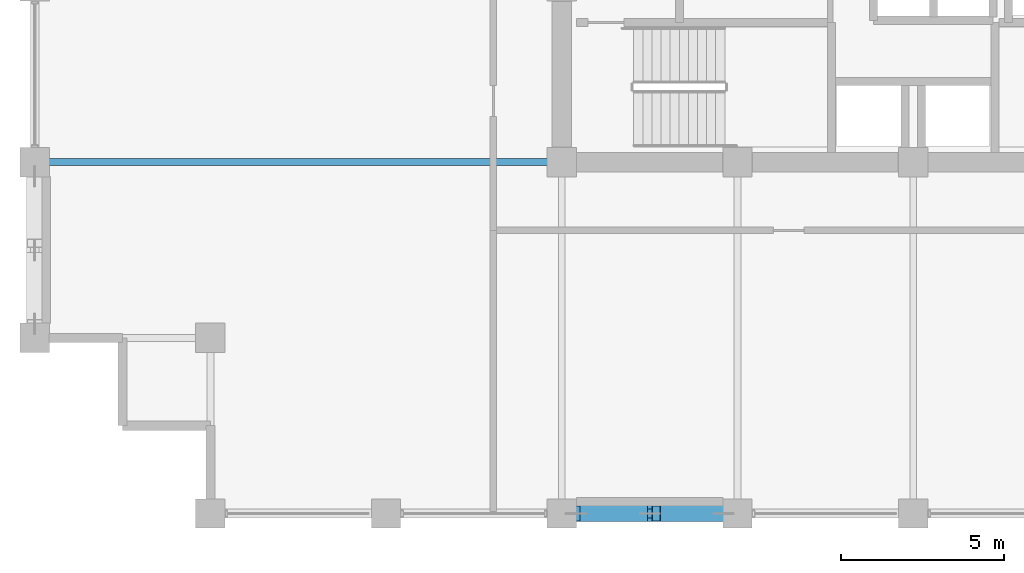
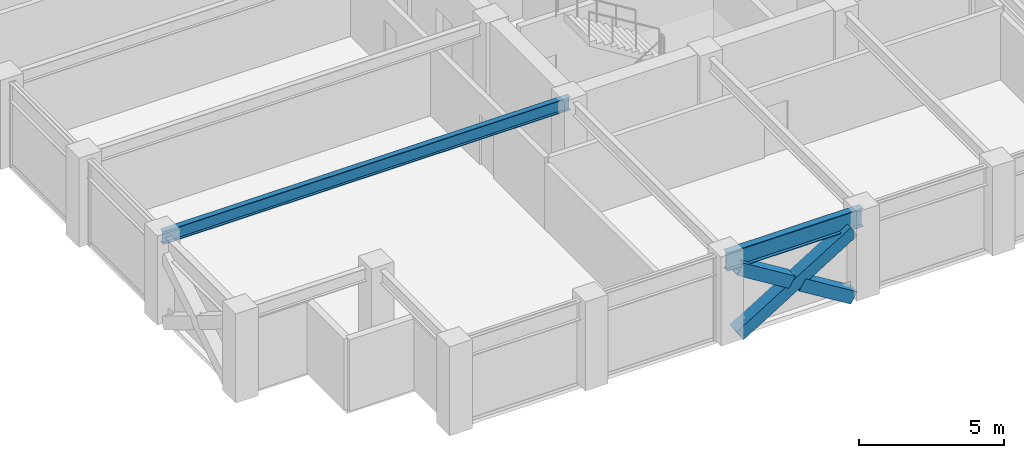
# One storey, part 5 of 32: 3 members, 2 beams.
"""IFC4 building model written with IfcOpenShell, lengths in metres."""

from ifc_helpers import new_model, si_unit, direction, frame, origin, origin_2d, place, context, subcontext, project, spatial, hollow_rectangle, i_section, extrude, material, material_profile, profile_set, type_object, element, save


model = new_model("IFC4")

# Units and contexts
model_context = context("Model", 3, precision=1e-05, world=origin(), true_north=direction((0.0, 1.0)))
body_context = subcontext(model_context, "Body", "Model", "MODEL_VIEW")
ifc_project = project(units=[si_unit("LENGTHUNIT", "METRE"), si_unit("AREAUNIT", "SQUARE_METRE"), si_unit("VOLUMEUNIT", "CUBIC_METRE"), si_unit("PLANEANGLEUNIT", "RADIAN"), si_unit("MASSUNIT", "GRAM", prefix="KILO")], contexts=[model_context])

# Site, building, storey
site_placement = place(None, origin())
site = spatial("IfcSite", under=ifc_project, at=site_placement, CompositionType="ELEMENT")
building_placement = place(site_placement, origin())
building = spatial("IfcBuilding", under=site, at=building_placement, Name="Surkhivell Harbour Commons", CompositionType="ELEMENT")
storey_placement = place(building_placement, frame((0.0, 0.0, 201.0)))
storey = spatial("IfcBuildingStorey", under=building, at=storey_placement, Name="L52", CompositionType="ELEMENT", Elevation=201.0)

# Beams
ifc_material_1 = material(Name="Steel S355", Category="steel")
ifc_material_profile_1 = material_profile(ifc_material_1, i_section(OverallWidth=0.2119140625, OverallDepth=0.5439453125, WebThickness=0.0126953125, FlangeThickness=0.021240234375, at=origin_2d()), Name="UB533x210x122")
ifc_profile_set_1 = profile_set([ifc_material_profile_1], Name="Steel S355")
beam_type_1 = type_object("IfcBeamType", Name="BM-GRD-533A", PredefinedType="BEAM", material=ifc_profile_set_1)
beam_1_placement = place(storey_placement, frame((-27.0, -10.800048828125, 3.298095703125), z_axis=(1.0, 0.0, 0.0), x_axis=(0.0, 1.0, 0.0)))
element("IfcBeam", 1, at=beam_1_placement, inside=storey, type_object=beam_type_1, Name="L52 Floor Girder (-27.0,-10.8)", PredefinedType="BEAM", context=body_context, shape_type="SweptSolid", body=[
    extrude(i_section(OverallWidth=0.2119140625, OverallDepth=0.5439453125, WebThickness=0.0126953125, FlangeThickness=0.021240234375, at=origin_2d()), origin(), (0.0, 0.0, 1.0), 16.199951171875),
])
ifc_material_profile_2 = material_profile(ifc_material_1, i_section(OverallWidth=0.26806640625, OverallDepth=0.77001953125, WebThickness=0.015625, FlangeThickness=0.025390625, at=origin_2d()), Name="UB762x267x197")
ifc_profile_set_2 = profile_set([ifc_material_profile_2], Name="Steel S355")
beam_type_2 = type_object("IfcBeamType", Name="BM-SPN-762", PredefinedType="SPANDREL", material=ifc_profile_set_2)
beam_2_placement = place(storey_placement, frame((-10.800048828125, -21.60009765625, 3.18505859375), z_axis=(1.0, 0.0, 0.0), x_axis=(0.0, 1.0, 0.0)))
element("IfcBeam", 2, at=beam_2_placement, inside=storey, type_object=beam_type_2, Name="L52 Tube Spandrel (-10.8,-21.6)", PredefinedType="SPANDREL", context=body_context, shape_type="SweptSolid", body=[
    extrude(i_section(OverallWidth=0.26806640625, OverallDepth=0.77001953125, WebThickness=0.015625, FlangeThickness=0.025390625, at=origin_2d()), origin(), (0.0, 0.0, 1.0), 5.400146484375),
])

# Members
ifc_material_2 = material(Name="Steel S460", Category="steel")
ifc_material_profile_3 = material_profile(ifc_material_2, hollow_rectangle(XDim=0.5, YDim=0.5, WallThickness=0.02490234375, at=origin_2d()), Name="SHS500x500x25")
ifc_profile_set_3 = profile_set([ifc_material_profile_3], Name="Steel S460")
member_type = type_object("IfcMemberType", Name="MEM-BRC-SHS500", PredefinedType="BRACE", material=ifc_profile_set_3)
member_placement = place(storey_placement, frame((-10.364990234375, -21.60009765625, 0.008056640625), z_axis=(0.850971032488, 0.0, 0.525212625387), x_axis=(0.0, 1.0, 0.0)))
element("IfcMember", 3, at=member_placement, inside=storey, type_object=member_type, Name="L52 Perimeter Mega-Brace MB- 07", PredefinedType="BRACE", context=body_context, shape_type="SweptSolid", body=[
    extrude(hollow_rectangle(XDim=0.5, YDim=0.5, WallThickness=0.02490234375, at=origin_2d()), origin(), (0.0, 0.0, 1.0), 5.323486328125),
])
for number, where, z_axis, x_axis, name in (
    (4, (-5.8349609375, -21.60009765625, 0.008056640625), (-0.8510034189, 0.0, 0.525160147974), (0.0, -1.0, 0.0), "L52 Perimeter Mega-Brace MB- 08"),
    (5, (-8.30419921875, -21.60009765625, 1.531982421875), (-0.850958361341, 0.0, 0.525233155146), (0.0, -1.0, 0.0), "L52 Perimeter Mega-Brace MB- 09"),
):
    element("IfcMember", number, at=place(storey_placement, frame(where, z_axis=z_axis, x_axis=x_axis)), inside=storey, type_object=member_type, Name=name, PredefinedType="BRACE", context=body_context, shape_type="SweptSolid", body=[
        extrude(hollow_rectangle(XDim=0.5, YDim=0.5, WallThickness=0.02490234375, at=origin_2d()), origin(), (0.0, 0.0, 1.0), 2.421630859375),
    ])

save(model, "model.ifc")
